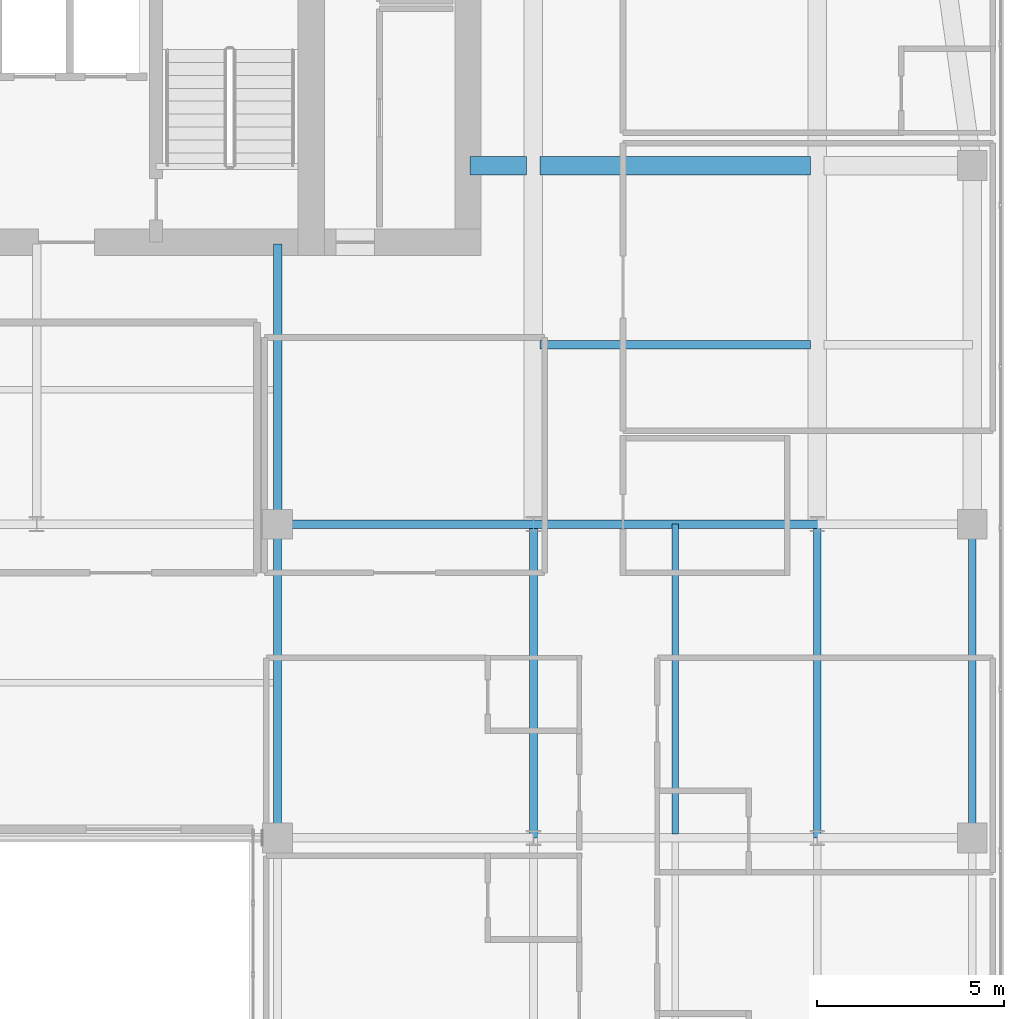
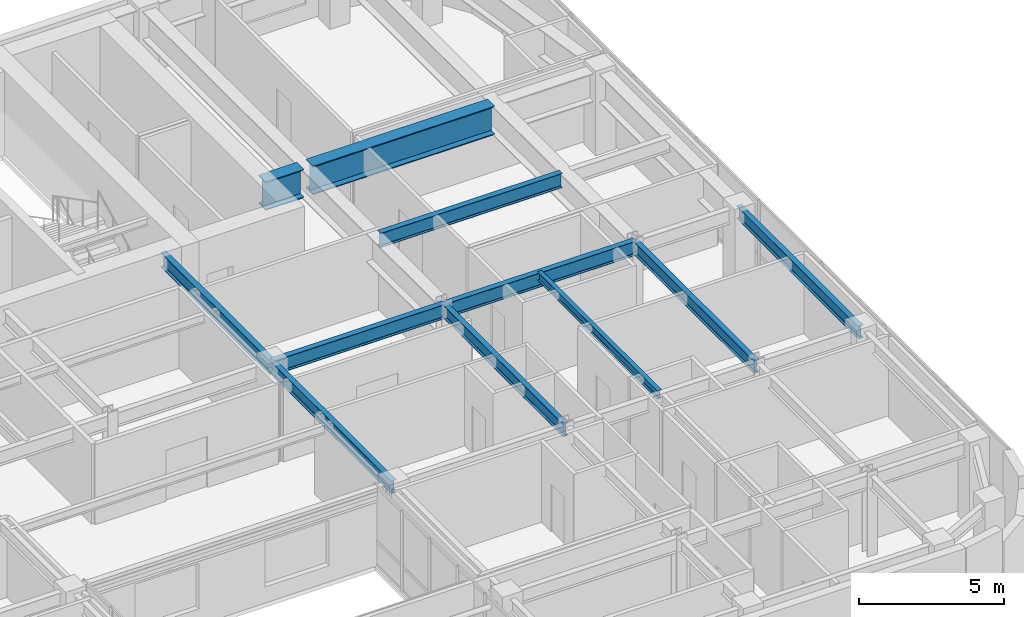
# One storey, part 7 of 20: 11 beams.
"""IFC4 building model written with IfcOpenShell, lengths in metres."""

from ifc_helpers import new_model, si_unit, direction, frame, origin, origin_2d, place, context, subcontext, project, spatial, i_section, extrude, source, transform, mapped, material, material_profile, profile_set, type_object, type_shapes, element, save


model = new_model("IFC4")

# Units and contexts
model_context = context("Model", 3, precision=1e-05, world=origin(), true_north=direction((0.0, 1.0)))
body_context = subcontext(model_context, "Body", "Model", "MODEL_VIEW")
ifc_project = project(units=[si_unit("LENGTHUNIT", "METRE"), si_unit("AREAUNIT", "SQUARE_METRE"), si_unit("VOLUMEUNIT", "CUBIC_METRE"), si_unit("PLANEANGLEUNIT", "RADIAN"), si_unit("MASSUNIT", "GRAM", prefix="KILO")], contexts=[model_context])

# Site, building, storey
site_placement = place(None, origin())
site = spatial("IfcSite", under=ifc_project, at=site_placement, CompositionType="ELEMENT")
building_placement = place(site_placement, origin())
building = spatial("IfcBuilding", under=site, at=building_placement, Name="Tolvann Quenvar Hotel", CompositionType="ELEMENT")
storey_placement = place(building_placement, frame((0.0, 0.0, 171.89990234375)))
storey = spatial("IfcBuildingStorey", under=building, at=storey_placement, Name="L45", CompositionType="ELEMENT", Elevation=171.89990234375)

# Beams
ifc_material = material(Name="Steel Grade 350", Category="steel")
ifc_material_profile_1 = material_profile(ifc_material, i_section(OverallWidth=0.208984375, OverallDepth=0.528076171875, WebThickness=0.009521484375, FlangeThickness=0.01318359375, FilletRadius=0.013916015625, at=origin_2d()), Name="530UB82")
ifc_profile_set_1 = profile_set([ifc_material_profile_1], Name="Steel Grade 350")
beam_type_1 = type_object("IfcBeamType", Name="BM_SPAND_530UB82", PredefinedType="SPANDREL", material=ifc_profile_set_1)
shared_shape_1 = source(origin(), body_context, "Body", "SweptSolid", [
    extrude(i_section(OverallWidth=0.208984375, OverallDepth=0.528076171875, WebThickness=0.009521484375, FlangeThickness=0.01318359375, FilletRadius=0.013916015625, at=origin_2d()), origin(), (0.0, 0.0, 1.0), 8.39990234375),
])
type_shapes(beam_type_1, [shared_shape_1])
beam_1_placement = place(storey_placement, frame((53.550048828125, 16.0, 3.106201171875), z_axis=(0.0, 1.0, 0.0), x_axis=(-1.0, 0.0, 0.0)))
element("IfcBeam", 1, at=beam_1_placement, inside=storey, type_object=beam_type_1, Name="BM-L45-NS-J4-J5", PredefinedType="SPANDREL", context=body_context, shape_type="MappedRepresentation", body=[
    mapped(shared_shape_1, transform((0.0, 0.0, 0.0), x_axis=(1.0, 0.0, 0.0), y_axis=(0.0, 1.0, 0.0), z_axis=(0.0, 0.0, 1.0), scale=1.0)),
])
ifc_material_profile_2 = material_profile(ifc_material, i_section(OverallWidth=0.208984375, OverallDepth=0.532958984375, WebThickness=0.01025390625, FlangeThickness=0.015625, FilletRadius=0.013916015625, at=origin_2d()), Name="530UB92")
ifc_profile_set_2 = profile_set([ifc_material_profile_2], Name="Steel Grade 350")
beam_type_2 = type_object("IfcBeamType", Name="BM_GIRD_530UB92", PredefinedType="BEAM", material=ifc_profile_set_2)
shared_shape_2 = source(origin(), body_context, "Body", "SweptSolid", [
    extrude(i_section(OverallWidth=0.208984375, OverallDepth=0.532958984375, WebThickness=0.01025390625, FlangeThickness=0.015625, FilletRadius=0.013916015625, at=origin_2d()), origin(), (0.0, 0.0, 1.0), 8.39990234375),
])
type_shapes(beam_type_2, [shared_shape_2])
for number, where, z_axis, x_axis, name in (
    (2, (34.949951171875, 16.0, 3.103515625), (0.0, 1.0, 0.0), (-1.0, 0.0, 0.0), "BM-L45-NS-F4-F5"),
    (3, (41.800048828125, 16.0, 3.103515625), (0.0, 1.0, 0.0), (-1.0, 0.0, 0.0), "BM-L45-NS-H4-H5"),
    (4, (49.39990234375, 16.0, 3.103515625), (0.0, 1.0, 0.0), (-1.0, 0.0, 0.0), "BM-L45-NS-I4-I5"),
):
    element("IfcBeam", number, at=place(storey_placement, frame(where, z_axis=z_axis, x_axis=x_axis)), inside=storey, type_object=beam_type_2, Name=name, PredefinedType="BEAM", context=body_context, shape_type="MappedRepresentation", body=[
        mapped(shared_shape_2, transform((0.0, 0.0, 0.0), x_axis=(1.0, 0.0, 0.0), y_axis=(0.0, 1.0, 0.0), z_axis=(0.0, 0.0, 1.0), scale=1.0)),
    ])
ifc_material_profile_3 = material_profile(ifc_material, i_section(OverallWidth=0.5, OverallDepth=1.199951171875, WebThickness=0.01611328125, FlangeThickness=0.0400390625, at=origin_2d()), Name="1200WB455")
ifc_profile_set_3 = profile_set([ifc_material_profile_3], Name="Steel Grade 350")
beam_type_3 = type_object("IfcBeamType", Name="BM_TG_1200WB455", PredefinedType="USERDEFINED", material=ifc_profile_set_3)
shared_shape_3 = source(origin(), body_context, "Body", "SweptSolid", [
    extrude(i_section(OverallWidth=0.5, OverallDepth=1.199951171875, WebThickness=0.01611328125, FlangeThickness=0.0400390625, at=origin_2d()), origin(), (0.0, 0.0, 1.0), 1.52001953125),
])
beam_2_placement = place(storey_placement, frame((40.10009765625, 34.0, 2.77001953125), z_axis=(1.0, 0.0, 0.0), x_axis=(0.0, 1.0, 0.0)))
element("IfcBeam", 5, at=beam_2_placement, inside=storey, type_object=beam_type_3, Name="BM-L45-CTE-JD6A", ObjectType="TRANSFER GIRDER", PredefinedType="USERDEFINED", context=body_context, shape_type="MappedRepresentation", body=[
    mapped(shared_shape_3, transform((0.0, 0.0, 0.0), x_axis=(1.0, 0.0, 0.0), y_axis=(0.0, 1.0, 0.0), z_axis=(0.0, 0.0, 1.0), scale=1.0)),
])
shared_shape_4 = source(origin(), body_context, "Body", "SweptSolid", [
    extrude(i_section(OverallWidth=0.5, OverallDepth=1.199951171875, WebThickness=0.01611328125, FlangeThickness=0.0400390625, at=origin_2d()), origin(), (0.0, 0.0, 1.0), 7.239990234375),
])
type_shapes(beam_type_3, [shared_shape_3, shared_shape_4])
beam_3_placement = place(storey_placement, frame((41.97998046875, 34.0, 2.77001953125), z_axis=(1.0, 0.0, 0.0), x_axis=(0.0, 1.0, 0.0)))
element("IfcBeam", 6, at=beam_3_placement, inside=storey, type_object=beam_type_3, Name="BM-L45-CTE-JD6B", ObjectType="TRANSFER GIRDER", PredefinedType="USERDEFINED", context=body_context, shape_type="MappedRepresentation", body=[
    mapped(shared_shape_4, transform((0.0, 0.0, 0.0), x_axis=(1.0, 0.0, 0.0), y_axis=(0.0, 1.0, 0.0), z_axis=(0.0, 0.0, 1.0), scale=1.0)),
])
ifc_material_profile_4 = material_profile(ifc_material, i_section(OverallWidth=0.22802734375, OverallDepth=0.60205078125, WebThickness=0.010498046875, FlangeThickness=0.014892578125, FilletRadius=0.013916015625, at=origin_2d()), Name="610UB101")
ifc_profile_set_4 = profile_set([ifc_material_profile_4], Name="Steel Grade 350")
beam_type_4 = type_object("IfcBeamType", Name="BM_GIRD_610UB101", PredefinedType="BEAM", material=ifc_profile_set_4)
shared_shape_5 = source(origin(), body_context, "Body", "SweptSolid", [
    extrude(i_section(OverallWidth=0.22802734375, OverallDepth=0.60205078125, WebThickness=0.010498046875, FlangeThickness=0.014892578125, FilletRadius=0.013916015625, at=origin_2d()), origin(), (0.0, 0.0, 1.0), 7.599853515625),
])
beam_4_placement = place(storey_placement, frame((41.800048828125, 24.39990234375, 3.069091796875), z_axis=(1.0, 0.0, 0.0), x_axis=(0.0, 1.0, 0.0)))
element("IfcBeam", 7, at=beam_4_placement, inside=storey, type_object=beam_type_4, Name="BM-L45-EW-5-H5-I5", PredefinedType="BEAM", context=body_context, shape_type="MappedRepresentation", body=[
    mapped(shared_shape_5, transform((0.0, 0.0, 0.0), x_axis=(1.0, 0.0, 0.0), y_axis=(0.0, 1.0, 0.0), z_axis=(0.0, 0.0, 1.0), scale=1.0)),
])
shared_shape_6 = source(origin(), body_context, "Body", "SweptSolid", [
    extrude(i_section(OverallWidth=0.22802734375, OverallDepth=0.60205078125, WebThickness=0.010498046875, FlangeThickness=0.014892578125, FilletRadius=0.013916015625, at=origin_2d()), origin(), (0.0, 0.0, 1.0), 6.85009765625),
])
beam_5_placement = place(storey_placement, frame((34.949951171875, 24.39990234375, 3.069091796875), z_axis=(1.0, 0.0, 0.0), x_axis=(0.0, 1.0, 0.0)))
element("IfcBeam", 8, at=beam_5_placement, inside=storey, type_object=beam_type_4, Name="BM-L45-EW-5-F5-H5", PredefinedType="BEAM", context=body_context, shape_type="MappedRepresentation", body=[
    mapped(shared_shape_6, transform((0.0, 0.0, 0.0), x_axis=(1.0, 0.0, 0.0), y_axis=(0.0, 1.0, 0.0), z_axis=(0.0, 0.0, 1.0), scale=1.0)),
])
shared_shape_7 = source(origin(), body_context, "Body", "SweptSolid", [
    extrude(i_section(OverallWidth=0.22802734375, OverallDepth=0.60205078125, WebThickness=0.010498046875, FlangeThickness=0.014892578125, FilletRadius=0.013916015625, at=origin_2d()), origin(), (0.0, 0.0, 1.0), 7.5),
])
beam_6_placement = place(storey_placement, frame((34.949951171875, 24.39990234375, 3.069091796875), z_axis=(0.0, 1.0, 0.0), x_axis=(-1.0, 0.0, 0.0)))
element("IfcBeam", 9, at=beam_6_placement, inside=storey, type_object=beam_type_4, Name="BM-L45-CORE-F5", PredefinedType="BEAM", context=body_context, shape_type="MappedRepresentation", body=[
    mapped(shared_shape_7, transform((0.0, 0.0, 0.0), x_axis=(1.0, 0.0, 0.0), y_axis=(0.0, 1.0, 0.0), z_axis=(0.0, 0.0, 1.0), scale=1.0)),
])
shared_shape_8 = source(origin(), body_context, "Body", "SweptSolid", [
    extrude(i_section(OverallWidth=0.22802734375, OverallDepth=0.60205078125, WebThickness=0.010498046875, FlangeThickness=0.014892578125, FilletRadius=0.013916015625, at=origin_2d()), origin(), (0.0, 0.0, 1.0), 7.239990234375),
])
type_shapes(beam_type_4, [shared_shape_5, shared_shape_6, shared_shape_7, shared_shape_8])
beam_7_placement = place(storey_placement, frame((41.97998046875, 29.199951171875, 3.069091796875), z_axis=(1.0, 0.0, 0.0), x_axis=(0.0, 1.0, 0.0)))
element("IfcBeam", 10, at=beam_7_placement, inside=storey, type_object=beam_type_4, Name="BM-L45-EW-HI29", PredefinedType="BEAM", context=body_context, shape_type="MappedRepresentation", body=[
    mapped(shared_shape_8, transform((0.0, 0.0, 0.0), x_axis=(1.0, 0.0, 0.0), y_axis=(0.0, 1.0, 0.0), z_axis=(0.0, 0.0, 1.0), scale=1.0)),
])
ifc_material_profile_5 = material_profile(ifc_material, i_section(OverallWidth=0.172119140625, OverallDepth=0.35888671875, WebThickness=0.008056640625, FlangeThickness=0.012939453125, FilletRadius=0.011474609375, at=origin_2d()), Name="360UB57")
ifc_profile_set_5 = profile_set([ifc_material_profile_5], Name="Steel Grade 350")
beam_type_5 = type_object("IfcBeamType", Name="BM_JOIST_360UB57", PredefinedType="JOIST", material=ifc_profile_set_5)
shared_shape_9 = source(origin(), body_context, "Body", "SweptSolid", [
    extrude(i_section(OverallWidth=0.172119140625, OverallDepth=0.35888671875, WebThickness=0.008056640625, FlangeThickness=0.012939453125, FilletRadius=0.011474609375, at=origin_2d()), origin(), (0.0, 0.0, 1.0), 8.2919921875),
])
type_shapes(beam_type_5, [shared_shape_9])
beam_8_placement = place(storey_placement, frame((45.60009765625, 16.10791015625, 3.190673828125), z_axis=(0.0, 1.0, 0.0), x_axis=(-1.0, 0.0, 0.0)))
element("IfcBeam", 11, at=beam_8_placement, inside=storey, type_object=beam_type_5, Name="BJ-L45-456-160", PredefinedType="JOIST", context=body_context, shape_type="MappedRepresentation", body=[
    mapped(shared_shape_9, transform((0.0, 0.0, 0.0), x_axis=(1.0, 0.0, 0.0), y_axis=(0.0, 1.0, 0.0), z_axis=(0.0, 0.0, 1.0), scale=1.0)),
])

save(model, "model.ifc")
